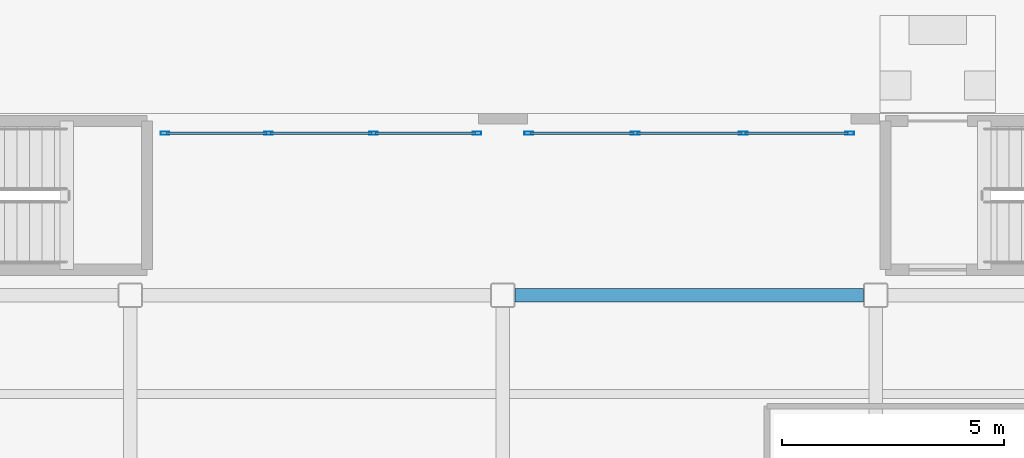
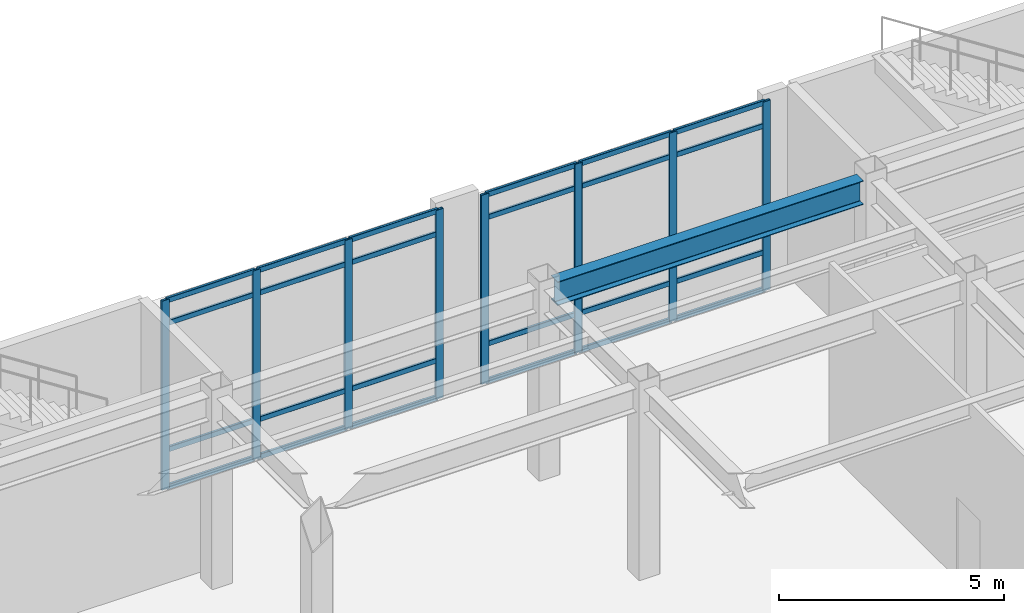
# One storey, part 78 of 165: 32 members, 1 beam, 2 elements without a shape of their own.
"""IFC4 building model written with IfcOpenShell, lengths in metres."""

from ifc_helpers import new_model, si_unit, direction, frame, origin, origin_2d, place, context, subcontext, project, spatial, hollow_rectangle, i_section, extrude, material, layer, layer_set, material_profile, profile_set, type_object, element, aggregate, save


model = new_model("IFC4")

# Units and contexts
model_context = context("Model", 3, precision=1e-05, world=origin(), true_north=direction((0.0, 1.0)))
body_context = subcontext(model_context, "Body", "Model", "MODEL_VIEW")
ifc_project = project(units=[si_unit("LENGTHUNIT", "METRE"), si_unit("AREAUNIT", "SQUARE_METRE"), si_unit("VOLUMEUNIT", "CUBIC_METRE"), si_unit("PLANEANGLEUNIT", "RADIAN"), si_unit("MASSUNIT", "GRAM", prefix="KILO")], contexts=[model_context])

# Site, building, storey
site_placement = place(None, origin())
site = spatial("IfcSite", under=ifc_project, at=site_placement, CompositionType="ELEMENT")
building_placement = place(site_placement, origin())
building = spatial("IfcBuilding", under=site, at=building_placement, Name="Kazehara Bluff Congress Hotel", CompositionType="ELEMENT")
storey_placement = place(building_placement, origin())
storey = spatial("IfcBuildingStorey", under=building, at=storey_placement, Name="L00", CompositionType="ELEMENT", Elevation=0.0)

# Curtain wall, members
ifc_material_1 = material(Name="Anodised aluminium", Category="aluminium")
ifc_layer_1 = layer(ifc_material_1, 0.159912109375)
ifc_layer_set_1 = layer_set([ifc_layer_1], Name="Anodised aluminium")
curtain_wall_type_1 = type_object("IfcCurtainWallType", Name="TP-CW-45", PredefinedType="NOTDEFINED", material=ifc_layer_set_1)
curtain_wall_1_placement = place(storey_placement, origin())
curtain_wall_1 = element("IfcCurtainWall", 1, at=curtain_wall_1_placement, inside=storey, type_object=curtain_wall_type_1, Name="L00 curtain wall CW-45 CW-V3-L00-Y11355-6840", PredefinedType="NOTDEFINED")
ifc_material_2 = material(Name="Anodised aluminium", Category="aluminium")
ifc_material_profile_1 = material_profile(ifc_material_2, hollow_rectangle(XDim=0.070068359375, YDim=0.199951171875, WallThickness=0.0048828125, InnerFilletRadius=0.0048828125, OuterFilletRadius=0.010009765625, at=origin_2d()))
ifc_profile_set_1 = profile_set([ifc_material_profile_1], Name="Anodised aluminium")
member_type_1 = type_object("IfcMemberType", Name="TP-CWM-03", PredefinedType="MULLION", material=ifc_profile_set_1)
member_1_placement = place(storey_placement, frame((68.43505859375, 113.550048828125, 0.0), z_axis=(0.0, 0.0, 1.0), x_axis=(0.0, 1.0, 0.0)))
member_1 = element("IfcMember", 2, at=member_1_placement, type_object=member_type_1, Name="CW-45 mullion 1", PredefinedType="MULLION", context=body_context, shape_type="SweptSolid", body=[
    extrude(hollow_rectangle(XDim=0.070068359375, YDim=0.199951171875, WallThickness=0.0048828125, InnerFilletRadius=0.0048828125, OuterFilletRadius=0.010009765625, at=origin_2d()), origin(), (0.0, 0.0, 1.0), 5.135009765625),
])
member_2_placement = place(storey_placement, frame((70.7666015625, 113.550048828125, 0.0), z_axis=(0.0, 0.0, 1.0), x_axis=(0.0, 1.0, 0.0)))
member_2 = element("IfcMember", 3, at=member_2_placement, type_object=member_type_1, Name="CW-45 mullion 2", PredefinedType="MULLION", context=body_context, shape_type="SweptSolid", body=[
    extrude(hollow_rectangle(XDim=0.070068359375, YDim=0.199951171875, WallThickness=0.0048828125, InnerFilletRadius=0.0048828125, OuterFilletRadius=0.010009765625, at=origin_2d()), origin(), (0.0, 0.0, 1.0), 5.135009765625),
])
member_3_placement = place(storey_placement, frame((73.13330078125, 113.550048828125, 0.0), z_axis=(0.0, 0.0, 1.0), x_axis=(0.0, 1.0, 0.0)))
member_3 = element("IfcMember", 4, at=member_3_placement, type_object=member_type_1, Name="CW-45 mullion 3", PredefinedType="MULLION", context=body_context, shape_type="SweptSolid", body=[
    extrude(hollow_rectangle(XDim=0.070068359375, YDim=0.199951171875, WallThickness=0.0048828125, InnerFilletRadius=0.0048828125, OuterFilletRadius=0.010009765625, at=origin_2d()), origin(), (0.0, 0.0, 1.0), 5.135009765625),
])
member_4_placement = place(storey_placement, frame((75.465087890625, 113.550048828125, 0.0), z_axis=(0.0, 0.0, 1.0), x_axis=(0.0, 1.0, 0.0)))
member_4 = element("IfcMember", 5, at=member_4_placement, type_object=member_type_1, Name="CW-45 mullion 4", PredefinedType="MULLION", context=body_context, shape_type="SweptSolid", body=[
    extrude(hollow_rectangle(XDim=0.070068359375, YDim=0.199951171875, WallThickness=0.0048828125, InnerFilletRadius=0.0048828125, OuterFilletRadius=0.010009765625, at=origin_2d()), origin(), (0.0, 0.0, 1.0), 5.135009765625),
])

ifc_material_3 = material(Name="Anodised aluminium", Category="aluminium")
ifc_layer_2 = layer(ifc_material_3, 0.159912109375)
ifc_layer_set_2 = layer_set([ifc_layer_2], Name="Anodised aluminium")
curtain_wall_type_2 = type_object("IfcCurtainWallType", Name="TP-CW-46", PredefinedType="NOTDEFINED", material=ifc_layer_set_2)
curtain_wall_2_placement = place(storey_placement, origin())
curtain_wall_2 = element("IfcCurtainWall", 6, at=curtain_wall_2_placement, inside=storey, type_object=curtain_wall_type_2, Name="L00 curtain wall CW-46 CW-V3-L00-Y11355-7660", PredefinedType="NOTDEFINED")
member_5_placement = place(storey_placement, frame((76.635009765625, 113.550048828125, 0.0), z_axis=(0.0, 0.0, 1.0), x_axis=(0.0, 1.0, 0.0)))
member_5 = element("IfcMember", 7, at=member_5_placement, type_object=member_type_1, Name="CW-46 mullion 1", PredefinedType="MULLION", context=body_context, shape_type="SweptSolid", body=[
    extrude(hollow_rectangle(XDim=0.070068359375, YDim=0.199951171875, WallThickness=0.0048828125, InnerFilletRadius=0.0048828125, OuterFilletRadius=0.010009765625, at=origin_2d()), origin(), (0.0, 0.0, 1.0), 5.135009765625),
])
member_6_placement = place(storey_placement, frame((79.033447265625, 113.550048828125, 0.0), z_axis=(0.0, 0.0, 1.0), x_axis=(0.0, 1.0, 0.0)))
member_6 = element("IfcMember", 8, at=member_6_placement, type_object=member_type_1, Name="CW-46 mullion 2", PredefinedType="MULLION", context=body_context, shape_type="SweptSolid", body=[
    extrude(hollow_rectangle(XDim=0.070068359375, YDim=0.199951171875, WallThickness=0.0048828125, InnerFilletRadius=0.0048828125, OuterFilletRadius=0.010009765625, at=origin_2d()), origin(), (0.0, 0.0, 1.0), 5.135009765625),
])
member_7_placement = place(storey_placement, frame((81.466552734375, 113.550048828125, 0.0), z_axis=(0.0, 0.0, 1.0), x_axis=(0.0, 1.0, 0.0)))
member_7 = element("IfcMember", 9, at=member_7_placement, type_object=member_type_1, Name="CW-46 mullion 3", PredefinedType="MULLION", context=body_context, shape_type="SweptSolid", body=[
    extrude(hollow_rectangle(XDim=0.070068359375, YDim=0.199951171875, WallThickness=0.0048828125, InnerFilletRadius=0.0048828125, OuterFilletRadius=0.010009765625, at=origin_2d()), origin(), (0.0, 0.0, 1.0), 5.135009765625),
])
member_8_placement = place(storey_placement, frame((83.864990234375, 113.550048828125, 0.0), z_axis=(0.0, 0.0, 1.0), x_axis=(0.0, 1.0, 0.0)))
member_8 = element("IfcMember", 10, at=member_8_placement, type_object=member_type_1, Name="CW-46 mullion 4", PredefinedType="MULLION", context=body_context, shape_type="SweptSolid", body=[
    extrude(hollow_rectangle(XDim=0.070068359375, YDim=0.199951171875, WallThickness=0.0048828125, InnerFilletRadius=0.0048828125, OuterFilletRadius=0.010009765625, at=origin_2d()), origin(), (0.0, 0.0, 1.0), 5.135009765625),
])

# Member
ifc_material_4 = material(Name="Anodised aluminium", Category="aluminium")
ifc_material_profile_2 = material_profile(ifc_material_4, hollow_rectangle(XDim=0.06494140625, YDim=0.139892578125, WallThickness=0.00390625, InnerFilletRadius=0.00390625, OuterFilletRadius=0.008056640625, at=origin_2d()))
ifc_profile_set_2 = profile_set([ifc_material_profile_2], Name="Anodised aluminium")
member_type_2 = type_object("IfcMemberType", Name="TP-CWT-02", PredefinedType="USERDEFINED", material=ifc_profile_set_2)
member_9_placement = place(storey_placement, frame((68.469970703125, 113.550048828125, 0.032470703125), z_axis=(1.0, 0.0, 0.0), x_axis=(0.0, 1.0, 0.0)))
member_9 = element("IfcMember", 11, at=member_9_placement, type_object=member_type_2, Name="CW-45 transom 1.1", ObjectType="TRANSOM", PredefinedType="USERDEFINED", context=body_context, shape_type="SweptSolid", body=[
    extrude(hollow_rectangle(XDim=0.06494140625, YDim=0.139892578125, WallThickness=0.00390625, InnerFilletRadius=0.00390625, OuterFilletRadius=0.008056640625, at=origin_2d()), origin(), (0.0, 0.0, 1.0), 2.26171875),
])

member_10_placement = place(storey_placement, frame((68.469970703125, 113.550048828125, 1.050048828125), z_axis=(1.0, 0.0, 0.0), x_axis=(0.0, 1.0, 0.0)))
member_10 = element("IfcMember", 12, at=member_10_placement, type_object=member_type_2, Name="CW-45 transom 1.2", ObjectType="TRANSOM", PredefinedType="USERDEFINED", context=body_context, shape_type="SweptSolid", body=[
    extrude(hollow_rectangle(XDim=0.06494140625, YDim=0.139892578125, WallThickness=0.00390625, InnerFilletRadius=0.00390625, OuterFilletRadius=0.008056640625, at=origin_2d()), origin(), (0.0, 0.0, 1.0), 2.26171875),
])

member_11_placement = place(storey_placement, frame((68.469970703125, 113.550048828125, 4.485107421875), z_axis=(1.0, 0.0, 0.0), x_axis=(0.0, 1.0, 0.0)))
member_11 = element("IfcMember", 13, at=member_11_placement, type_object=member_type_2, Name="CW-45 transom 1.3", ObjectType="TRANSOM", PredefinedType="USERDEFINED", context=body_context, shape_type="SweptSolid", body=[
    extrude(hollow_rectangle(XDim=0.06494140625, YDim=0.139892578125, WallThickness=0.00390625, InnerFilletRadius=0.00390625, OuterFilletRadius=0.008056640625, at=origin_2d()), origin(), (0.0, 0.0, 1.0), 2.26171875),
])

member_12_placement = place(storey_placement, frame((68.469970703125, 113.550048828125, 5.1025390625), z_axis=(1.0, 0.0, 0.0), x_axis=(0.0, 1.0, 0.0)))
member_12 = element("IfcMember", 14, at=member_12_placement, type_object=member_type_2, Name="CW-45 transom 1.4", ObjectType="TRANSOM", PredefinedType="USERDEFINED", context=body_context, shape_type="SweptSolid", body=[
    extrude(hollow_rectangle(XDim=0.06494140625, YDim=0.139892578125, WallThickness=0.00390625, InnerFilletRadius=0.00390625, OuterFilletRadius=0.008056640625, at=origin_2d()), origin(), (0.0, 0.0, 1.0), 2.26171875),
])

member_13_placement = place(storey_placement, frame((70.8017578125, 113.550048828125, 0.032470703125), z_axis=(1.0, 0.0, 0.0), x_axis=(0.0, 1.0, 0.0)))
member_13 = element("IfcMember", 15, at=member_13_placement, type_object=member_type_2, Name="CW-45 transom 2.1", ObjectType="TRANSOM", PredefinedType="USERDEFINED", context=body_context, shape_type="SweptSolid", body=[
    extrude(hollow_rectangle(XDim=0.06494140625, YDim=0.139892578125, WallThickness=0.00390625, InnerFilletRadius=0.00390625, OuterFilletRadius=0.008056640625, at=origin_2d()), origin(), (0.0, 0.0, 1.0), 2.296630859375),
])

member_14_placement = place(storey_placement, frame((70.8017578125, 113.550048828125, 1.050048828125), z_axis=(1.0, 0.0, 0.0), x_axis=(0.0, 1.0, 0.0)))
member_14 = element("IfcMember", 16, at=member_14_placement, type_object=member_type_2, Name="CW-45 transom 2.2", ObjectType="TRANSOM", PredefinedType="USERDEFINED", context=body_context, shape_type="SweptSolid", body=[
    extrude(hollow_rectangle(XDim=0.06494140625, YDim=0.139892578125, WallThickness=0.00390625, InnerFilletRadius=0.00390625, OuterFilletRadius=0.008056640625, at=origin_2d()), origin(), (0.0, 0.0, 1.0), 2.296630859375),
])

member_15_placement = place(storey_placement, frame((70.8017578125, 113.550048828125, 4.485107421875), z_axis=(1.0, 0.0, 0.0), x_axis=(0.0, 1.0, 0.0)))
member_15 = element("IfcMember", 17, at=member_15_placement, type_object=member_type_2, Name="CW-45 transom 2.3", ObjectType="TRANSOM", PredefinedType="USERDEFINED", context=body_context, shape_type="SweptSolid", body=[
    extrude(hollow_rectangle(XDim=0.06494140625, YDim=0.139892578125, WallThickness=0.00390625, InnerFilletRadius=0.00390625, OuterFilletRadius=0.008056640625, at=origin_2d()), origin(), (0.0, 0.0, 1.0), 2.296630859375),
])

member_16_placement = place(storey_placement, frame((70.8017578125, 113.550048828125, 5.1025390625), z_axis=(1.0, 0.0, 0.0), x_axis=(0.0, 1.0, 0.0)))
member_16 = element("IfcMember", 18, at=member_16_placement, type_object=member_type_2, Name="CW-45 transom 2.4", ObjectType="TRANSOM", PredefinedType="USERDEFINED", context=body_context, shape_type="SweptSolid", body=[
    extrude(hollow_rectangle(XDim=0.06494140625, YDim=0.139892578125, WallThickness=0.00390625, InnerFilletRadius=0.00390625, OuterFilletRadius=0.008056640625, at=origin_2d()), origin(), (0.0, 0.0, 1.0), 2.296630859375),
])

member_17_placement = place(storey_placement, frame((73.168212890625, 113.550048828125, 0.032470703125), z_axis=(1.0, 0.0, 0.0), x_axis=(0.0, 1.0, 0.0)))
member_17 = element("IfcMember", 19, at=member_17_placement, type_object=member_type_2, Name="CW-45 transom 3.1", ObjectType="TRANSOM", PredefinedType="USERDEFINED", context=body_context, shape_type="SweptSolid", body=[
    extrude(hollow_rectangle(XDim=0.06494140625, YDim=0.139892578125, WallThickness=0.00390625, InnerFilletRadius=0.00390625, OuterFilletRadius=0.008056640625, at=origin_2d()), origin(), (0.0, 0.0, 1.0), 2.26171875),
])

member_18_placement = place(storey_placement, frame((73.168212890625, 113.550048828125, 1.050048828125), z_axis=(1.0, 0.0, 0.0), x_axis=(0.0, 1.0, 0.0)))
member_18 = element("IfcMember", 20, at=member_18_placement, type_object=member_type_2, Name="CW-45 transom 3.2", ObjectType="TRANSOM", PredefinedType="USERDEFINED", context=body_context, shape_type="SweptSolid", body=[
    extrude(hollow_rectangle(XDim=0.06494140625, YDim=0.139892578125, WallThickness=0.00390625, InnerFilletRadius=0.00390625, OuterFilletRadius=0.008056640625, at=origin_2d()), origin(), (0.0, 0.0, 1.0), 2.26171875),
])

member_19_placement = place(storey_placement, frame((73.168212890625, 113.550048828125, 4.485107421875), z_axis=(1.0, 0.0, 0.0), x_axis=(0.0, 1.0, 0.0)))
member_19 = element("IfcMember", 21, at=member_19_placement, type_object=member_type_2, Name="CW-45 transom 3.3", ObjectType="TRANSOM", PredefinedType="USERDEFINED", context=body_context, shape_type="SweptSolid", body=[
    extrude(hollow_rectangle(XDim=0.06494140625, YDim=0.139892578125, WallThickness=0.00390625, InnerFilletRadius=0.00390625, OuterFilletRadius=0.008056640625, at=origin_2d()), origin(), (0.0, 0.0, 1.0), 2.26171875),
])

member_20_placement = place(storey_placement, frame((73.168212890625, 113.550048828125, 5.1025390625), z_axis=(1.0, 0.0, 0.0), x_axis=(0.0, 1.0, 0.0)))
member_20 = element("IfcMember", 22, at=member_20_placement, type_object=member_type_2, Name="CW-45 transom 3.4", ObjectType="TRANSOM", PredefinedType="USERDEFINED", context=body_context, shape_type="SweptSolid", body=[
    extrude(hollow_rectangle(XDim=0.06494140625, YDim=0.139892578125, WallThickness=0.00390625, InnerFilletRadius=0.00390625, OuterFilletRadius=0.008056640625, at=origin_2d()), origin(), (0.0, 0.0, 1.0), 2.26171875),
])

aggregate(curtain_wall_1, [member_1, member_2, member_3, member_4, member_9, member_10, member_11, member_12, member_13, member_14, member_15, member_16, member_17, member_18, member_19, member_20])

member_21_placement = place(storey_placement, frame((76.669921875, 113.550048828125, 0.032470703125), z_axis=(1.0, 0.0, 0.0), x_axis=(0.0, 1.0, 0.0)))
member_21 = element("IfcMember", 23, at=member_21_placement, type_object=member_type_2, Name="CW-46 transom 1.1", ObjectType="TRANSOM", PredefinedType="USERDEFINED", context=body_context, shape_type="SweptSolid", body=[
    extrude(hollow_rectangle(XDim=0.06494140625, YDim=0.139892578125, WallThickness=0.00390625, InnerFilletRadius=0.00390625, OuterFilletRadius=0.008056640625, at=origin_2d()), origin(), (0.0, 0.0, 1.0), 2.328369140625),
])

member_22_placement = place(storey_placement, frame((76.669921875, 113.550048828125, 1.050048828125), z_axis=(1.0, 0.0, 0.0), x_axis=(0.0, 1.0, 0.0)))
member_22 = element("IfcMember", 24, at=member_22_placement, type_object=member_type_2, Name="CW-46 transom 1.2", ObjectType="TRANSOM", PredefinedType="USERDEFINED", context=body_context, shape_type="SweptSolid", body=[
    extrude(hollow_rectangle(XDim=0.06494140625, YDim=0.139892578125, WallThickness=0.00390625, InnerFilletRadius=0.00390625, OuterFilletRadius=0.008056640625, at=origin_2d()), origin(), (0.0, 0.0, 1.0), 2.328369140625),
])

member_23_placement = place(storey_placement, frame((76.669921875, 113.550048828125, 4.485107421875), z_axis=(1.0, 0.0, 0.0), x_axis=(0.0, 1.0, 0.0)))
member_23 = element("IfcMember", 25, at=member_23_placement, type_object=member_type_2, Name="CW-46 transom 1.3", ObjectType="TRANSOM", PredefinedType="USERDEFINED", context=body_context, shape_type="SweptSolid", body=[
    extrude(hollow_rectangle(XDim=0.06494140625, YDim=0.139892578125, WallThickness=0.00390625, InnerFilletRadius=0.00390625, OuterFilletRadius=0.008056640625, at=origin_2d()), origin(), (0.0, 0.0, 1.0), 2.328369140625),
])

member_24_placement = place(storey_placement, frame((76.669921875, 113.550048828125, 5.1025390625), z_axis=(1.0, 0.0, 0.0), x_axis=(0.0, 1.0, 0.0)))
member_24 = element("IfcMember", 26, at=member_24_placement, type_object=member_type_2, Name="CW-46 transom 1.4", ObjectType="TRANSOM", PredefinedType="USERDEFINED", context=body_context, shape_type="SweptSolid", body=[
    extrude(hollow_rectangle(XDim=0.06494140625, YDim=0.139892578125, WallThickness=0.00390625, InnerFilletRadius=0.00390625, OuterFilletRadius=0.008056640625, at=origin_2d()), origin(), (0.0, 0.0, 1.0), 2.328369140625),
])

member_25_placement = place(storey_placement, frame((79.068359375, 113.550048828125, 0.032470703125), z_axis=(1.0, 0.0, 0.0), x_axis=(0.0, 1.0, 0.0)))
member_25 = element("IfcMember", 27, at=member_25_placement, type_object=member_type_2, Name="CW-46 transom 2.1", ObjectType="TRANSOM", PredefinedType="USERDEFINED", context=body_context, shape_type="SweptSolid", body=[
    extrude(hollow_rectangle(XDim=0.06494140625, YDim=0.139892578125, WallThickness=0.00390625, InnerFilletRadius=0.00390625, OuterFilletRadius=0.008056640625, at=origin_2d()), origin(), (0.0, 0.0, 1.0), 2.36328125),
])

member_26_placement = place(storey_placement, frame((79.068359375, 113.550048828125, 1.050048828125), z_axis=(1.0, 0.0, 0.0), x_axis=(0.0, 1.0, 0.0)))
member_26 = element("IfcMember", 28, at=member_26_placement, type_object=member_type_2, Name="CW-46 transom 2.2", ObjectType="TRANSOM", PredefinedType="USERDEFINED", context=body_context, shape_type="SweptSolid", body=[
    extrude(hollow_rectangle(XDim=0.06494140625, YDim=0.139892578125, WallThickness=0.00390625, InnerFilletRadius=0.00390625, OuterFilletRadius=0.008056640625, at=origin_2d()), origin(), (0.0, 0.0, 1.0), 2.36328125),
])

member_27_placement = place(storey_placement, frame((79.068359375, 113.550048828125, 4.485107421875), z_axis=(1.0, 0.0, 0.0), x_axis=(0.0, 1.0, 0.0)))
member_27 = element("IfcMember", 29, at=member_27_placement, type_object=member_type_2, Name="CW-46 transom 2.3", ObjectType="TRANSOM", PredefinedType="USERDEFINED", context=body_context, shape_type="SweptSolid", body=[
    extrude(hollow_rectangle(XDim=0.06494140625, YDim=0.139892578125, WallThickness=0.00390625, InnerFilletRadius=0.00390625, OuterFilletRadius=0.008056640625, at=origin_2d()), origin(), (0.0, 0.0, 1.0), 2.36328125),
])

member_28_placement = place(storey_placement, frame((79.068359375, 113.550048828125, 5.1025390625), z_axis=(1.0, 0.0, 0.0), x_axis=(0.0, 1.0, 0.0)))
member_28 = element("IfcMember", 30, at=member_28_placement, type_object=member_type_2, Name="CW-46 transom 2.4", ObjectType="TRANSOM", PredefinedType="USERDEFINED", context=body_context, shape_type="SweptSolid", body=[
    extrude(hollow_rectangle(XDim=0.06494140625, YDim=0.139892578125, WallThickness=0.00390625, InnerFilletRadius=0.00390625, OuterFilletRadius=0.008056640625, at=origin_2d()), origin(), (0.0, 0.0, 1.0), 2.36328125),
])

member_29_placement = place(storey_placement, frame((81.501708984375, 113.550048828125, 0.032470703125), z_axis=(1.0, 0.0, 0.0), x_axis=(0.0, 1.0, 0.0)))
member_29 = element("IfcMember", 31, at=member_29_placement, type_object=member_type_2, Name="CW-46 transom 3.1", ObjectType="TRANSOM", PredefinedType="USERDEFINED", context=body_context, shape_type="SweptSolid", body=[
    extrude(hollow_rectangle(XDim=0.06494140625, YDim=0.139892578125, WallThickness=0.00390625, InnerFilletRadius=0.00390625, OuterFilletRadius=0.008056640625, at=origin_2d()), origin(), (0.0, 0.0, 1.0), 2.328369140625),
])

member_30_placement = place(storey_placement, frame((81.501708984375, 113.550048828125, 1.050048828125), z_axis=(1.0, 0.0, 0.0), x_axis=(0.0, 1.0, 0.0)))
member_30 = element("IfcMember", 32, at=member_30_placement, type_object=member_type_2, Name="CW-46 transom 3.2", ObjectType="TRANSOM", PredefinedType="USERDEFINED", context=body_context, shape_type="SweptSolid", body=[
    extrude(hollow_rectangle(XDim=0.06494140625, YDim=0.139892578125, WallThickness=0.00390625, InnerFilletRadius=0.00390625, OuterFilletRadius=0.008056640625, at=origin_2d()), origin(), (0.0, 0.0, 1.0), 2.328369140625),
])

member_31_placement = place(storey_placement, frame((81.501708984375, 113.550048828125, 4.485107421875), z_axis=(1.0, 0.0, 0.0), x_axis=(0.0, 1.0, 0.0)))
member_31 = element("IfcMember", 33, at=member_31_placement, type_object=member_type_2, Name="CW-46 transom 3.3", ObjectType="TRANSOM", PredefinedType="USERDEFINED", context=body_context, shape_type="SweptSolid", body=[
    extrude(hollow_rectangle(XDim=0.06494140625, YDim=0.139892578125, WallThickness=0.00390625, InnerFilletRadius=0.00390625, OuterFilletRadius=0.008056640625, at=origin_2d()), origin(), (0.0, 0.0, 1.0), 2.328369140625),
])

member_32_placement = place(storey_placement, frame((81.501708984375, 113.550048828125, 5.1025390625), z_axis=(1.0, 0.0, 0.0), x_axis=(0.0, 1.0, 0.0)))
member_32 = element("IfcMember", 34, at=member_32_placement, type_object=member_type_2, Name="CW-46 transom 3.4", ObjectType="TRANSOM", PredefinedType="USERDEFINED", context=body_context, shape_type="SweptSolid", body=[
    extrude(hollow_rectangle(XDim=0.06494140625, YDim=0.139892578125, WallThickness=0.00390625, InnerFilletRadius=0.00390625, OuterFilletRadius=0.008056640625, at=origin_2d()), origin(), (0.0, 0.0, 1.0), 2.328369140625),
])

aggregate(curtain_wall_2, [member_5, member_6, member_7, member_8, member_21, member_22, member_23, member_24, member_25, member_26, member_27, member_28, member_29, member_30, member_31, member_32])

# Beam
ifc_material_5 = material(Name="Steel SN490B", Category="steel")
ifc_material_profile_3 = material_profile(ifc_material_5, i_section(OverallWidth=0.300048828125, OverallDepth=0.64990234375, WebThickness=0.011962890625, FlangeThickness=0.02001953125, FilletRadius=0.012939453125, at=origin_2d()))
ifc_profile_set_3 = profile_set([ifc_material_profile_3], Name="Steel SN490B")
beam_type = type_object("IfcBeamType", Name="TP-G-03", PredefinedType="BEAM", material=ifc_profile_set_3)
beam_placement = place(storey_placement, frame((76.324951171875, 109.89990234375, 4.824951171875), z_axis=(1.0, 0.0, 0.0), x_axis=(0.0, 1.0, 0.0)))
element("IfcBeam", 35, at=beam_placement, inside=storey, type_object=beam_type, Name="L00 girder G-03 145", PredefinedType="BEAM", context=body_context, shape_type="SweptSolid", body=[
    extrude(i_section(OverallWidth=0.300048828125, OverallDepth=0.64990234375, WebThickness=0.011962890625, FlangeThickness=0.02001953125, FilletRadius=0.012939453125, at=origin_2d()), origin(), (0.0, 0.0, 1.0), 7.85009765625),
])

save(model, "model.ifc")
